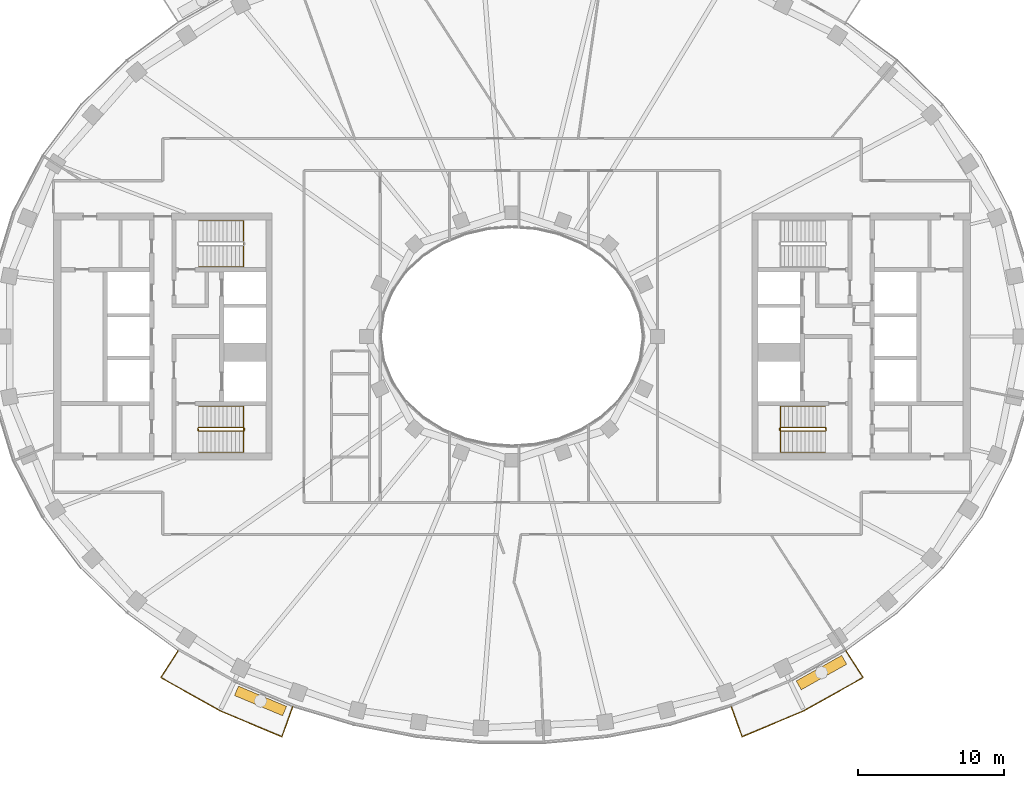
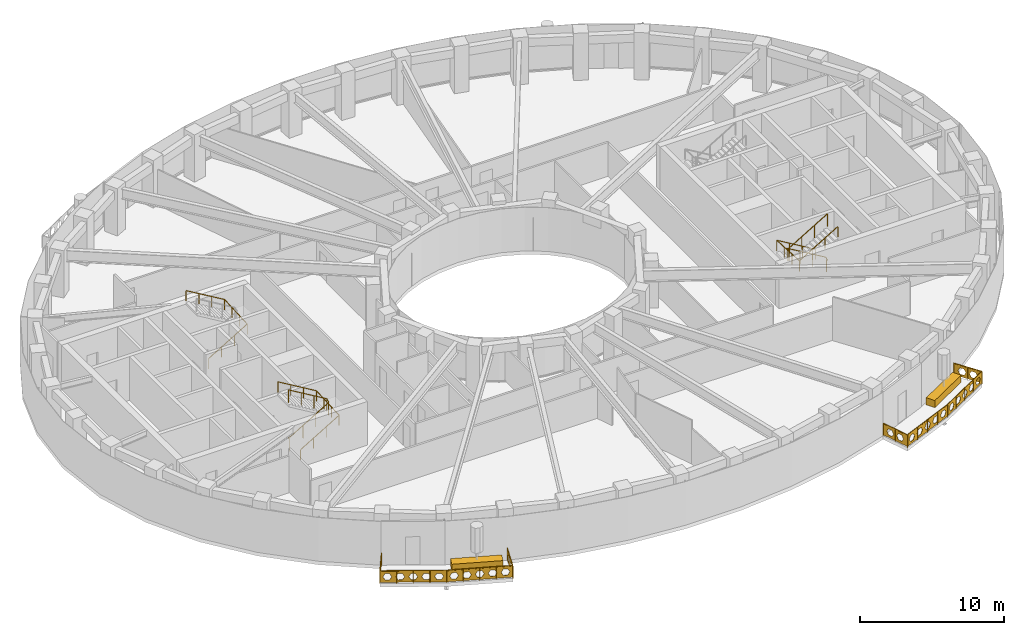
# One storey, part 13 of 15: 7 railings, 2 coverings.
"""IFC4 building model written with IfcOpenShell, lengths in metres."""

from ifc_helpers import new_model, si_unit, direction, frame, origin, origin_2d, place, context, subcontext, project, spatial, polyline, rectangle, outline, extrude, material, type_object, element, save


model = new_model("IFC4")

# Units and contexts
model_context = context("Model", 3, precision=1e-05, world=origin(), true_north=direction((0.0, 1.0)))
body_context = subcontext(model_context, "Body", "Model", "MODEL_VIEW")
ifc_project = project(units=[si_unit("LENGTHUNIT", "METRE"), si_unit("AREAUNIT", "SQUARE_METRE"), si_unit("VOLUMEUNIT", "CUBIC_METRE"), si_unit("PLANEANGLEUNIT", "RADIAN"), si_unit("MASSUNIT", "GRAM", prefix="KILO")], contexts=[model_context])

# Site, building, storey
site_placement = place(None, origin())
site = spatial("IfcSite", under=ifc_project, at=site_placement, CompositionType="ELEMENT")
building_placement = place(site_placement, origin())
building = spatial("IfcBuilding", under=site, at=building_placement, Name="Noorbagh Ring Tower", CompositionType="ELEMENT")
storey_placement = place(building_placement, frame((0.0, 0.0, 277.5)))
storey = spatial("IfcBuildingStorey", under=building, at=storey_placement, Name="L59", CompositionType="ELEMENT", Elevation=277.5)

# Railings
ifc_material_1 = material(Name="Stainless steel", Category="steel")
railing_type_1 = type_object("IfcRailingType", Name="CORE-STAIR-GUARD", PredefinedType="GUARDRAIL", material=ifc_material_1)
railing_1_placement = place(storey_placement, frame((-21.580078125, -6.449951171875, 0.0)))
element("IfcRailing", 1, at=railing_1_placement, inside=storey, type_object=railing_type_1, Name="L59 ST2 stair guard", PredefinedType="GUARDRAIL", context=body_context, shape_type="SweptSolid", body=[
    extrude(rectangle(XDim=0.048095703125, YDim=0.048095703125, at=origin_2d()), frame((0.0, 0.0, 1.076171875), z_axis=(0.0, 1.0, 0.0), x_axis=(-1.0, 0.0, 0.0)), (0.0, 0.0, 1.0), 0.14990234375),
    extrude(rectangle(XDim=0.048095703125, YDim=0.048095703125, at=origin_2d()), frame((0.0, 0.14990234375, 1.076171875), z_axis=(0.188775798145, -0.754182335027, 0.628945707965), x_axis=(0.970072785993, 0.242814311512, 0.0)), (0.0, 0.0, 1.0), 0.26513671875),
    extrude(rectangle(XDim=0.048095703125, YDim=0.048095703125, at=origin_2d()), frame((0.050048828125, -0.050048828125, 1.24267578125), z_axis=(0.859308565015, 0.0, 0.511457515432), x_axis=(0.0, 1.0, 0.0)), (0.0, 0.0, 1.0), 3.58447265625),
    extrude(rectangle(XDim=0.048095703125, YDim=0.048095703125, at=origin_2d()), frame((3.130126953125, -0.050048828125, 3.076171875), z_axis=(0.707106781187, 0.707106781187, 0.0), x_axis=(-0.707106781187, 0.707106781187, 0.0)), (0.0, 0.0, 1.0), 0.07080078125),
    extrude(rectangle(XDim=0.048095703125, YDim=0.048095703125, at=origin_2d()), frame((3.18017578125, 0.0, 3.076171875), z_axis=(0.0, 1.0, 0.0), x_axis=(-1.0, 0.0, 0.0)), (0.0, 0.0, 1.0), 0.14990234375),
    extrude(rectangle(XDim=0.048095703125, YDim=0.048095703125, at=origin_2d()), frame((3.18017578125, 0.14990234375, 3.076171875), z_axis=(-0.27628659633, 0.27628659633, 0.920506074601), x_axis=(-0.707106781187, -0.707106781187, 0.0)), (0.0, 0.0, 1.0), 0.18115234375),
    extrude(rectangle(XDim=0.048095703125, YDim=0.048095703125, at=origin_2d()), frame((3.130126953125, 0.199951171875, 3.24267578125), z_axis=(-0.859308565015, 0.0, 0.511457515432), x_axis=(0.0, -1.0, 0.0)), (0.0, 0.0, 1.0), 3.58447265625),
    extrude(rectangle(XDim=0.0419921875, YDim=0.0419921875, at=origin_2d()), origin(), (0.0, 0.0, 1.0), 1.052001953125),
    extrude(rectangle(XDim=0.0419921875, YDim=0.0419921875, at=origin_2d()), frame((1.07666015625, -0.050048828125, 0.77783203125)), (0.0, 0.0, 1.0), 1.052001953125),
    extrude(rectangle(XDim=0.0419921875, YDim=0.0419921875, at=origin_2d()), frame((2.103515625, -0.050048828125, 1.388916015625)), (0.0, 0.0, 1.0), 1.052001953125),
    extrude(rectangle(XDim=0.0419921875, YDim=0.0419921875, at=origin_2d()), frame((3.130126953125, -0.050048828125, 2.0)), (0.0, 0.0, 1.0), 1.052001953125),
    extrude(rectangle(XDim=0.0419921875, YDim=0.0419921875, at=origin_2d()), frame((3.130126953125, 0.199951171875, 2.166748046875)), (0.0, 0.0, 1.0), 1.052001953125),
    extrude(rectangle(XDim=0.0419921875, YDim=0.0419921875, at=origin_2d()), frame((2.103515625, 0.199951171875, 2.77783203125)), (0.0, 0.0, 1.0), 1.052001953125),
    extrude(rectangle(XDim=0.0419921875, YDim=0.0419921875, at=origin_2d()), frame((1.07666015625, 0.199951171875, 3.388916015625)), (0.0, 0.0, 1.0), 1.052001953125),
    extrude(rectangle(XDim=0.0419921875, YDim=0.0419921875, at=origin_2d()), frame((0.050048828125, 0.199951171875, 4.0)), (0.0, 0.0, 1.0), 1.052001953125),
])
railing_2_placement = place(storey_placement, frame((21.580078125, -6.300048828125, 0.0)))
element("IfcRailing", 2, at=railing_2_placement, inside=storey, type_object=railing_type_1, Name="L59 ST4 stair guard", PredefinedType="GUARDRAIL", context=body_context, shape_type="SweptSolid", body=[
    extrude(rectangle(XDim=0.048095703125, YDim=0.048095703125, at=origin_2d()), frame((0.0, 0.0, 1.076171875), z_axis=(0.0, -1.0, 0.0), x_axis=(1.0, 0.0, 0.0)), (0.0, 0.0, 1.0), 0.14990234375),
    extrude(rectangle(XDim=0.048095703125, YDim=0.048095703125, at=origin_2d()), frame((0.0, -0.14990234375, 1.076171875), z_axis=(-0.188775798145, 0.754182335027, 0.628945707965), x_axis=(-0.970072785993, -0.242814311512, 0.0)), (0.0, 0.0, 1.0), 0.26513671875),
    extrude(rectangle(XDim=0.048095703125, YDim=0.048095703125, at=origin_2d()), frame((-0.050048828125, 0.050048828125, 1.24267578125), z_axis=(-0.859308565015, 0.0, 0.511457515432), x_axis=(0.0, -1.0, 0.0)), (0.0, 0.0, 1.0), 3.58447265625),
    extrude(rectangle(XDim=0.048095703125, YDim=0.048095703125, at=origin_2d()), frame((-3.130126953125, 0.050048828125, 3.076171875), z_axis=(-0.707106781187, -0.707106781187, 0.0), x_axis=(0.707106781187, -0.707106781187, 0.0)), (0.0, 0.0, 1.0), 0.07080078125),
    extrude(rectangle(XDim=0.048095703125, YDim=0.048095703125, at=origin_2d()), frame((-3.18017578125, 0.0, 3.076171875), z_axis=(0.0, -1.0, 0.0), x_axis=(1.0, 0.0, 0.0)), (0.0, 0.0, 1.0), 0.14990234375),
    extrude(rectangle(XDim=0.048095703125, YDim=0.048095703125, at=origin_2d()), frame((-3.18017578125, -0.14990234375, 3.076171875), z_axis=(0.27628659633, -0.27628659633, 0.920506074601), x_axis=(0.707106781187, 0.707106781187, 0.0)), (0.0, 0.0, 1.0), 0.18115234375),
    extrude(rectangle(XDim=0.048095703125, YDim=0.048095703125, at=origin_2d()), frame((-3.130126953125, -0.199951171875, 3.24267578125), z_axis=(0.859308565015, 0.0, 0.511457515432), x_axis=(0.0, 1.0, 0.0)), (0.0, 0.0, 1.0), 3.58447265625),
    extrude(rectangle(XDim=0.0419921875, YDim=0.0419921875, at=origin_2d()), origin(), (0.0, 0.0, 1.0), 1.052001953125),
    extrude(rectangle(XDim=0.0419921875, YDim=0.0419921875, at=origin_2d()), frame((-1.07666015625, 0.050048828125, 0.77783203125)), (0.0, 0.0, 1.0), 1.052001953125),
    extrude(rectangle(XDim=0.0419921875, YDim=0.0419921875, at=origin_2d()), frame((-2.103515625, 0.050048828125, 1.388916015625)), (0.0, 0.0, 1.0), 1.052001953125),
    extrude(rectangle(XDim=0.0419921875, YDim=0.0419921875, at=origin_2d()), frame((-3.130126953125, 0.050048828125, 2.0)), (0.0, 0.0, 1.0), 1.052001953125),
    extrude(rectangle(XDim=0.0419921875, YDim=0.0419921875, at=origin_2d()), frame((-3.130126953125, -0.199951171875, 2.166748046875)), (0.0, 0.0, 1.0), 1.052001953125),
    extrude(rectangle(XDim=0.0419921875, YDim=0.0419921875, at=origin_2d()), frame((-2.103515625, -0.199951171875, 2.77783203125)), (0.0, 0.0, 1.0), 1.052001953125),
    extrude(rectangle(XDim=0.0419921875, YDim=0.0419921875, at=origin_2d()), frame((-1.07666015625, -0.199951171875, 3.388916015625)), (0.0, 0.0, 1.0), 1.052001953125),
    extrude(rectangle(XDim=0.0419921875, YDim=0.0419921875, at=origin_2d()), frame((-0.050048828125, -0.199951171875, 4.0)), (0.0, 0.0, 1.0), 1.052001953125),
])
ifc_material_2 = material(Name="Stainless steel", Category="steel")
railing_type_2 = type_object("IfcRailingType", Name="CORE-STAIR-HANDRAIL", PredefinedType="HANDRAIL", material=ifc_material_2)
railing_3_placement = place(storey_placement, frame((-21.530029296875, 4.800048828125, 0.166748046875)))
element("IfcRailing", 3, at=railing_3_placement, inside=storey, type_object=railing_type_2, Name="L59 ST1 stair handrail", PredefinedType="HANDRAIL", context=body_context, shape_type="SweptSolid", body=[
    extrude(rectangle(XDim=0.048095703125, YDim=0.048095703125, at=origin_2d()), frame((0.0, 0.0, 0.8759765625), z_axis=(0.859308565015, 0.0, 0.511457515432), x_axis=(0.0, 1.0, 0.0)), (0.0, 0.0, 1.0), 3.58447265625),
    extrude(rectangle(XDim=0.048095703125, YDim=0.048095703125, at=origin_2d()), frame((3.080078125, 0.0, 2.708984375), z_axis=(0.0, 0.998601747152, 0.052863509014), x_axis=(-1.0, 0.0, 0.0)), (0.0, 0.0, 1.0), 3.154296875),
    extrude(rectangle(XDim=0.048095703125, YDim=0.048095703125, at=origin_2d()), frame((3.080078125, 3.14990234375, 2.8759765625), z_axis=(-0.859308565015, 0.0, 0.511457515432), x_axis=(0.0, -1.0, 0.0)), (0.0, 0.0, 1.0), 3.58447265625),
    extrude(rectangle(XDim=0.0419921875, YDim=0.0419921875, at=origin_2d()), origin(), (0.0, 0.0, 1.0), 0.851806640625),
    extrude(rectangle(XDim=0.0419921875, YDim=0.0419921875, at=origin_2d()), frame((1.026611328125, 0.0, 0.611083984375)), (0.0, 0.0, 1.0), 0.851806640625),
    extrude(rectangle(XDim=0.0419921875, YDim=0.0419921875, at=origin_2d()), frame((2.053466796875, 0.0, 1.22216796875)), (0.0, 0.0, 1.0), 0.851806640625),
    extrude(rectangle(XDim=0.0419921875, YDim=0.0419921875, at=origin_2d()), frame((3.080078125, 0.0, 1.833251953125)), (0.0, 0.0, 1.0), 0.851806640625),
    extrude(rectangle(XDim=0.0419921875, YDim=0.0419921875, at=origin_2d()), frame((3.080078125, 1.050048828125, 1.888916015625)), (0.0, 0.0, 1.0), 0.851806640625),
    extrude(rectangle(XDim=0.0419921875, YDim=0.0419921875, at=origin_2d()), frame((3.080078125, 2.099853515625, 1.9443359375)), (0.0, 0.0, 1.0), 0.851806640625),
    extrude(rectangle(XDim=0.0419921875, YDim=0.0419921875, at=origin_2d()), frame((3.080078125, 3.14990234375, 2.0)), (0.0, 0.0, 1.0), 0.851806640625),
    extrude(rectangle(XDim=0.0419921875, YDim=0.0419921875, at=origin_2d()), frame((2.053466796875, 3.14990234375, 2.611083984375)), (0.0, 0.0, 1.0), 0.851806640625),
    extrude(rectangle(XDim=0.0419921875, YDim=0.0419921875, at=origin_2d()), frame((1.026611328125, 3.14990234375, 3.22216796875)), (0.0, 0.0, 1.0), 0.851806640625),
    extrude(rectangle(XDim=0.0419921875, YDim=0.0419921875, at=origin_2d()), frame((0.0, 3.14990234375, 3.833251953125)), (0.0, 0.0, 1.0), 0.851806640625),
])
railing_4_placement = place(storey_placement, frame((-21.530029296875, -7.949951171875, 0.166748046875)))
element("IfcRailing", 4, at=railing_4_placement, inside=storey, type_object=railing_type_2, Name="L59 ST2 stair handrail", PredefinedType="HANDRAIL", context=body_context, shape_type="SweptSolid", body=[
    extrude(rectangle(XDim=0.048095703125, YDim=0.048095703125, at=origin_2d()), frame((0.0, 0.0, 0.8759765625), z_axis=(0.859308565015, 0.0, 0.511457515432), x_axis=(0.0, 1.0, 0.0)), (0.0, 0.0, 1.0), 3.58447265625),
    extrude(rectangle(XDim=0.048095703125, YDim=0.048095703125, at=origin_2d()), frame((3.080078125, 0.0, 2.708984375), z_axis=(0.0, 0.998601747152, 0.052863509014), x_axis=(-1.0, 0.0, 0.0)), (0.0, 0.0, 1.0), 3.154296875),
    extrude(rectangle(XDim=0.048095703125, YDim=0.048095703125, at=origin_2d()), frame((3.080078125, 3.14990234375, 2.8759765625), z_axis=(-0.859308565015, 0.0, 0.511457515432), x_axis=(0.0, -1.0, 0.0)), (0.0, 0.0, 1.0), 3.58447265625),
    extrude(rectangle(XDim=0.0419921875, YDim=0.0419921875, at=origin_2d()), origin(), (0.0, 0.0, 1.0), 0.851806640625),
    extrude(rectangle(XDim=0.0419921875, YDim=0.0419921875, at=origin_2d()), frame((1.026611328125, 0.0, 0.611083984375)), (0.0, 0.0, 1.0), 0.851806640625),
    extrude(rectangle(XDim=0.0419921875, YDim=0.0419921875, at=origin_2d()), frame((2.053466796875, 0.0, 1.22216796875)), (0.0, 0.0, 1.0), 0.851806640625),
    extrude(rectangle(XDim=0.0419921875, YDim=0.0419921875, at=origin_2d()), frame((3.080078125, 0.0, 1.833251953125)), (0.0, 0.0, 1.0), 0.851806640625),
    extrude(rectangle(XDim=0.0419921875, YDim=0.0419921875, at=origin_2d()), frame((3.080078125, 1.050048828125, 1.888916015625)), (0.0, 0.0, 1.0), 0.851806640625),
    extrude(rectangle(XDim=0.0419921875, YDim=0.0419921875, at=origin_2d()), frame((3.080078125, 2.099853515625, 1.9443359375)), (0.0, 0.0, 1.0), 0.851806640625),
    extrude(rectangle(XDim=0.0419921875, YDim=0.0419921875, at=origin_2d()), frame((3.080078125, 3.14990234375, 2.0)), (0.0, 0.0, 1.0), 0.851806640625),
    extrude(rectangle(XDim=0.0419921875, YDim=0.0419921875, at=origin_2d()), frame((2.053466796875, 3.14990234375, 2.611083984375)), (0.0, 0.0, 1.0), 0.851806640625),
    extrude(rectangle(XDim=0.0419921875, YDim=0.0419921875, at=origin_2d()), frame((1.026611328125, 3.14990234375, 3.22216796875)), (0.0, 0.0, 1.0), 0.851806640625),
    extrude(rectangle(XDim=0.0419921875, YDim=0.0419921875, at=origin_2d()), frame((0.0, 3.14990234375, 3.833251953125)), (0.0, 0.0, 1.0), 0.851806640625),
])
railing_5_placement = place(storey_placement, frame((21.530029296875, -4.800048828125, 0.166748046875)))
element("IfcRailing", 5, at=railing_5_placement, inside=storey, type_object=railing_type_2, Name="L59 ST4 stair handrail", PredefinedType="HANDRAIL", context=body_context, shape_type="SweptSolid", body=[
    extrude(rectangle(XDim=0.048095703125, YDim=0.048095703125, at=origin_2d()), frame((0.0, 0.0, 0.8759765625), z_axis=(-0.859308565015, 0.0, 0.511457515432), x_axis=(0.0, -1.0, 0.0)), (0.0, 0.0, 1.0), 3.58447265625),
    extrude(rectangle(XDim=0.048095703125, YDim=0.048095703125, at=origin_2d()), frame((-3.080078125, 0.0, 2.708984375), z_axis=(0.0, -0.998601747152, 0.052863509014), x_axis=(1.0, 0.0, 0.0)), (0.0, 0.0, 1.0), 3.154296875),
    extrude(rectangle(XDim=0.048095703125, YDim=0.048095703125, at=origin_2d()), frame((-3.080078125, -3.14990234375, 2.8759765625), z_axis=(0.859308565015, 0.0, 0.511457515432), x_axis=(0.0, 1.0, 0.0)), (0.0, 0.0, 1.0), 3.58447265625),
    extrude(rectangle(XDim=0.0419921875, YDim=0.0419921875, at=origin_2d()), origin(), (0.0, 0.0, 1.0), 0.851806640625),
    extrude(rectangle(XDim=0.0419921875, YDim=0.0419921875, at=origin_2d()), frame((-1.026611328125, 0.0, 0.611083984375)), (0.0, 0.0, 1.0), 0.851806640625),
    extrude(rectangle(XDim=0.0419921875, YDim=0.0419921875, at=origin_2d()), frame((-2.053466796875, 0.0, 1.22216796875)), (0.0, 0.0, 1.0), 0.851806640625),
    extrude(rectangle(XDim=0.0419921875, YDim=0.0419921875, at=origin_2d()), frame((-3.080078125, 0.0, 1.833251953125)), (0.0, 0.0, 1.0), 0.851806640625),
    extrude(rectangle(XDim=0.0419921875, YDim=0.0419921875, at=origin_2d()), frame((-3.080078125, -1.050048828125, 1.888916015625)), (0.0, 0.0, 1.0), 0.851806640625),
    extrude(rectangle(XDim=0.0419921875, YDim=0.0419921875, at=origin_2d()), frame((-3.080078125, -2.099853515625, 1.9443359375)), (0.0, 0.0, 1.0), 0.851806640625),
    extrude(rectangle(XDim=0.0419921875, YDim=0.0419921875, at=origin_2d()), frame((-3.080078125, -3.14990234375, 2.0)), (0.0, 0.0, 1.0), 0.851806640625),
    extrude(rectangle(XDim=0.0419921875, YDim=0.0419921875, at=origin_2d()), frame((-2.053466796875, -3.14990234375, 2.611083984375)), (0.0, 0.0, 1.0), 0.851806640625),
    extrude(rectangle(XDim=0.0419921875, YDim=0.0419921875, at=origin_2d()), frame((-1.026611328125, -3.14990234375, 3.22216796875)), (0.0, 0.0, 1.0), 0.851806640625),
    extrude(rectangle(XDim=0.0419921875, YDim=0.0419921875, at=origin_2d()), frame((0.0, -3.14990234375, 3.833251953125)), (0.0, 0.0, 1.0), 0.851806640625),
])
ifc_material_3 = material(Name="Steel S275 black powder-coated", Category="steel")
railing_type_3 = type_object("IfcRailingType", Name="ENV-GUARD", PredefinedType="GUARDRAIL", material=ifc_material_3)
railing_6_placement = place(storey_placement, frame((-22.9326171875, -21.583740234375, 0.0)))
element("IfcRailing", 6, at=railing_6_placement, inside=storey, type_object=railing_type_3, Name="Balcony guard BS02", PredefinedType="GUARDRAIL", context=body_context, shape_type="SweptSolid", body=[
    extrude(rectangle(XDim=0.048095703125, YDim=0.048095703125, at=origin_2d()), frame((0.0, 0.0, 1.076171875), z_axis=(-0.542268136821, -0.840205491406, 0.0), x_axis=(0.840205491406, -0.542268136821, 0.0)), (0.0, 0.0, 1.0), 2.204345703125),
    extrude(rectangle(XDim=0.048095703125, YDim=0.048095703125, at=origin_2d()), frame((-1.1953125, -1.85205078125, 1.076171875), z_axis=(0.872052247658, -0.489412788303, 0.0), x_axis=(0.489412788303, 0.872052247658, 0.0)), (0.0, 0.0, 1.0), 4.646240234375),
    extrude(rectangle(XDim=0.048095703125, YDim=0.048095703125, at=origin_2d()), frame((2.8564453125, -4.1259765625, 1.076171875), z_axis=(0.921809087722, -0.387644174203, 0.0), x_axis=(0.387644174203, 0.921809087722, 0.0)), (0.0, 0.0, 1.0), 4.627197265625),
    extrude(rectangle(XDim=0.048095703125, YDim=0.048095703125, at=origin_2d()), frame((7.121826171875, -5.919677734375, 1.076171875), z_axis=(0.338350546839, 0.941020141896, 0.0), x_axis=(-0.941020141896, 0.338350546839, 0.0)), (0.0, 0.0, 1.0), 2.202880859375),
    extrude(rectangle(XDim=0.0419921875, YDim=0.0419921875, at=origin_2d()), origin(), (0.0, 0.0, 1.0), 1.052001953125),
    extrude(rectangle(XDim=0.0419921875, YDim=0.0419921875, at=origin_2d()), frame((-0.59765625, -0.926025390625, 0.0)), (0.0, 0.0, 1.0), 1.052001953125),
    extrude(rectangle(XDim=0.0419921875, YDim=0.0419921875, at=origin_2d()), frame((-1.1953125, -1.85205078125, 0.0)), (0.0, 0.0, 1.0), 1.052001953125),
    extrude(rectangle(XDim=0.0419921875, YDim=0.0419921875, at=origin_2d()), frame((-0.182373046875, -2.42041015625, 0.0)), (0.0, 0.0, 1.0), 1.052001953125),
    extrude(rectangle(XDim=0.0419921875, YDim=0.0419921875, at=origin_2d()), frame((0.83056640625, -2.989013671875, 0.0)), (0.0, 0.0, 1.0), 1.052001953125),
    extrude(rectangle(XDim=0.0419921875, YDim=0.0419921875, at=origin_2d()), frame((1.843505859375, -3.5576171875, 0.0)), (0.0, 0.0, 1.0), 1.052001953125),
    extrude(rectangle(XDim=0.0419921875, YDim=0.0419921875, at=origin_2d()), frame((2.8564453125, -4.1259765625, 0.0)), (0.0, 0.0, 1.0), 1.052001953125),
    extrude(rectangle(XDim=0.0419921875, YDim=0.0419921875, at=origin_2d()), frame((3.9228515625, -4.574462890625, 0.0)), (0.0, 0.0, 1.0), 1.052001953125),
    extrude(rectangle(XDim=0.0419921875, YDim=0.0419921875, at=origin_2d()), frame((4.9892578125, -5.02294921875, 0.0)), (0.0, 0.0, 1.0), 1.052001953125),
    extrude(rectangle(XDim=0.0419921875, YDim=0.0419921875, at=origin_2d()), frame((6.055419921875, -5.47119140625, 0.0)), (0.0, 0.0, 1.0), 1.052001953125),
    extrude(rectangle(XDim=0.0419921875, YDim=0.0419921875, at=origin_2d()), frame((7.121826171875, -5.919677734375, 0.0)), (0.0, 0.0, 1.0), 1.052001953125),
    extrude(rectangle(XDim=0.0419921875, YDim=0.0419921875, at=origin_2d()), frame((7.49462890625, -4.88330078125, 0.0)), (0.0, 0.0, 1.0), 1.052001953125),
    extrude(rectangle(XDim=0.0419921875, YDim=0.0419921875, at=origin_2d()), frame((7.8671875, -3.8466796875, 0.0)), (0.0, 0.0, 1.0), 1.052001953125),
    extrude(outline(polyline([(0.0, 0.10009765625), (2.204345703125, 0.10009765625), (2.204345703125, 1.031982421875), (0.0, 1.031982421875), (0.0, 0.10009765625)]), holes=[polyline([(0.962158203125, 0.56591796875), (0.80712890625, 0.83447265625), (0.4970703125, 0.83447265625), (0.342041015625, 0.56591796875), (0.4970703125, 0.297607421875), (0.80712890625, 0.297607421875), (0.962158203125, 0.56591796875)]), polyline([(1.862060546875, 0.56591796875), (1.70703125, 0.83447265625), (1.397216796875, 0.83447265625), (1.2421875, 0.56591796875), (1.397216796875, 0.297607421875), (1.70703125, 0.297607421875), (1.862060546875, 0.56591796875)])]), frame((0.00830078125, -0.00537109375, 0.0), z_axis=(-0.840205491406, 0.542268136821, 0.0), x_axis=(-0.542268136821, -0.840205491406, 0.0)), (0.0, 0.0, 1.0), 0.02001953125),
    extrude(outline(polyline([(0.0, 0.10009765625), (4.646240234375, 0.10009765625), (4.646240234375, 1.031982421875), (0.0, 1.031982421875), (0.0, 0.10009765625)]), holes=[polyline([(0.8330078125, 0.56591796875), (0.67822265625, 0.83447265625), (0.3681640625, 0.83447265625), (0.213134765625, 0.56591796875), (0.3681640625, 0.297607421875), (0.67822265625, 0.297607421875), (0.8330078125, 0.56591796875)]), polyline([(1.733154296875, 0.56591796875), (1.578125, 0.83447265625), (1.26806640625, 0.83447265625), (1.113037109375, 0.56591796875), (1.26806640625, 0.297607421875), (1.578125, 0.297607421875), (1.733154296875, 0.56591796875)]), polyline([(2.633056640625, 0.56591796875), (2.47802734375, 0.83447265625), (2.168212890625, 0.83447265625), (2.01318359375, 0.56591796875), (2.168212890625, 0.297607421875), (2.47802734375, 0.297607421875), (2.633056640625, 0.56591796875)]), polyline([(3.533203125, 0.56591796875), (3.378173828125, 0.83447265625), (3.068115234375, 0.83447265625), (2.9130859375, 0.56591796875), (3.068115234375, 0.297607421875), (3.378173828125, 0.297607421875), (3.533203125, 0.56591796875)]), polyline([(4.43310546875, 0.56591796875), (4.278076171875, 0.83447265625), (3.968017578125, 0.83447265625), (3.813232421875, 0.56591796875), (3.968017578125, 0.297607421875), (4.278076171875, 0.297607421875), (4.43310546875, 0.56591796875)])]), frame((-1.1904296875, -1.84326171875, 0.0), z_axis=(-0.489412788303, -0.872052247658, 0.0), x_axis=(0.872052247658, -0.489412788303, 0.0)), (0.0, 0.0, 1.0), 0.02001953125),
    extrude(outline(polyline([(0.0, 0.10009765625), (4.627197265625, 0.10009765625), (4.627197265625, 1.031982421875), (0.0, 1.031982421875), (0.0, 0.10009765625)]), holes=[polyline([(0.823486328125, 0.56591796875), (0.668701171875, 0.83447265625), (0.358642578125, 0.83447265625), (0.20361328125, 0.56591796875), (0.358642578125, 0.297607421875), (0.668701171875, 0.297607421875), (0.823486328125, 0.56591796875)]), polyline([(1.7236328125, 0.56591796875), (1.568603515625, 0.83447265625), (1.258544921875, 0.83447265625), (1.103515625, 0.56591796875), (1.258544921875, 0.297607421875), (1.568603515625, 0.297607421875), (1.7236328125, 0.56591796875)]), polyline([(2.62353515625, 0.56591796875), (2.468505859375, 0.83447265625), (2.15869140625, 0.83447265625), (2.003662109375, 0.56591796875), (2.15869140625, 0.297607421875), (2.468505859375, 0.297607421875), (2.62353515625, 0.56591796875)]), polyline([(3.523681640625, 0.56591796875), (3.36865234375, 0.83447265625), (3.05859375, 0.83447265625), (2.903564453125, 0.56591796875), (3.05859375, 0.297607421875), (3.36865234375, 0.297607421875), (3.523681640625, 0.56591796875)]), polyline([(4.423583984375, 0.56591796875), (4.2685546875, 0.83447265625), (3.95849609375, 0.83447265625), (3.8037109375, 0.56591796875), (3.95849609375, 0.297607421875), (4.2685546875, 0.297607421875), (4.423583984375, 0.56591796875)])]), frame((2.8603515625, -4.11669921875, 0.0), z_axis=(-0.387644174203, -0.921809087722, 0.0), x_axis=(0.921809087722, -0.387644174203, 0.0)), (0.0, 0.0, 1.0), 0.02001953125),
    extrude(outline(polyline([(0.0, 0.10009765625), (2.202880859375, 0.10009765625), (2.202880859375, 1.031982421875), (0.0, 1.031982421875), (0.0, 0.10009765625)]), holes=[polyline([(0.96142578125, 0.56591796875), (0.806396484375, 0.83447265625), (0.49658203125, 0.83447265625), (0.341552734375, 0.56591796875), (0.49658203125, 0.297607421875), (0.806396484375, 0.297607421875), (0.96142578125, 0.56591796875)]), polyline([(1.861572265625, 0.56591796875), (1.70654296875, 0.83447265625), (1.396484375, 0.83447265625), (1.241455078125, 0.56591796875), (1.396484375, 0.297607421875), (1.70654296875, 0.297607421875), (1.861572265625, 0.56591796875)])]), frame((7.1123046875, -5.916259765625, 0.0), z_axis=(0.941020141896, -0.338350546839, 0.0), x_axis=(0.338350546839, 0.941020141896, 0.0)), (0.0, 0.0, 1.0), 0.02001953125),
])
railing_7_placement = place(storey_placement, frame((15.0654296875, -25.430419921875, 0.0)))
element("IfcRailing", 7, at=railing_7_placement, inside=storey, type_object=railing_type_3, Name="Balcony guard BS05", PredefinedType="GUARDRAIL", context=body_context, shape_type="SweptSolid", body=[
    extrude(rectangle(XDim=0.048095703125, YDim=0.048095703125, at=origin_2d()), frame((0.0, 0.0, 1.076171875), z_axis=(0.338350546839, -0.941020141896, 0.0), x_axis=(0.941020141896, 0.338350546839, 0.0)), (0.0, 0.0, 1.0), 2.202880859375),
    extrude(rectangle(XDim=0.048095703125, YDim=0.048095703125, at=origin_2d()), frame((0.745361328125, -2.072998046875, 1.076171875), z_axis=(0.921809087722, 0.387644174203, 0.0), x_axis=(-0.387644174203, 0.921809087722, 0.0)), (0.0, 0.0, 1.0), 4.627197265625),
    extrude(rectangle(XDim=0.048095703125, YDim=0.048095703125, at=origin_2d()), frame((5.0107421875, -0.279296875, 1.076171875), z_axis=(0.872052247658, 0.489412788303, 0.0), x_axis=(-0.489412788303, 0.872052247658, 0.0)), (0.0, 0.0, 1.0), 4.646240234375),
    extrude(rectangle(XDim=0.048095703125, YDim=0.048095703125, at=origin_2d()), frame((9.0625, 1.99462890625, 1.076171875), z_axis=(-0.542268136821, 0.840205491406, 0.0), x_axis=(-0.840205491406, -0.542268136821, 0.0)), (0.0, 0.0, 1.0), 2.204345703125),
    extrude(rectangle(XDim=0.0419921875, YDim=0.0419921875, at=origin_2d()), origin(), (0.0, 0.0, 1.0), 1.052001953125),
    extrude(rectangle(XDim=0.0419921875, YDim=0.0419921875, at=origin_2d()), frame((0.37255859375, -1.03662109375, 0.0)), (0.0, 0.0, 1.0), 1.052001953125),
    extrude(rectangle(XDim=0.0419921875, YDim=0.0419921875, at=origin_2d()), frame((0.745361328125, -2.072998046875, 0.0)), (0.0, 0.0, 1.0), 1.052001953125),
    extrude(rectangle(XDim=0.0419921875, YDim=0.0419921875, at=origin_2d()), frame((1.811767578125, -1.62451171875, 0.0)), (0.0, 0.0, 1.0), 1.052001953125),
    extrude(rectangle(XDim=0.0419921875, YDim=0.0419921875, at=origin_2d()), frame((2.8779296875, -1.17626953125, 0.0)), (0.0, 0.0, 1.0), 1.052001953125),
    extrude(rectangle(XDim=0.0419921875, YDim=0.0419921875, at=origin_2d()), frame((3.9443359375, -0.727783203125, 0.0)), (0.0, 0.0, 1.0), 1.052001953125),
    extrude(rectangle(XDim=0.0419921875, YDim=0.0419921875, at=origin_2d()), frame((5.0107421875, -0.279296875, 0.0)), (0.0, 0.0, 1.0), 1.052001953125),
    extrude(rectangle(XDim=0.0419921875, YDim=0.0419921875, at=origin_2d()), frame((6.023681640625, 0.2890625, 0.0)), (0.0, 0.0, 1.0), 1.052001953125),
    extrude(rectangle(XDim=0.0419921875, YDim=0.0419921875, at=origin_2d()), frame((7.03662109375, 0.857666015625, 0.0)), (0.0, 0.0, 1.0), 1.052001953125),
    extrude(rectangle(XDim=0.0419921875, YDim=0.0419921875, at=origin_2d()), frame((8.049560546875, 1.42626953125, 0.0)), (0.0, 0.0, 1.0), 1.052001953125),
    extrude(rectangle(XDim=0.0419921875, YDim=0.0419921875, at=origin_2d()), frame((9.0625, 1.99462890625, 0.0)), (0.0, 0.0, 1.0), 1.052001953125),
    extrude(rectangle(XDim=0.0419921875, YDim=0.0419921875, at=origin_2d()), frame((8.46484375, 2.920654296875, 0.0)), (0.0, 0.0, 1.0), 1.052001953125),
    extrude(rectangle(XDim=0.0419921875, YDim=0.0419921875, at=origin_2d()), frame((7.8671875, 3.8466796875, 0.0)), (0.0, 0.0, 1.0), 1.052001953125),
    extrude(outline(polyline([(0.0, 0.10009765625), (2.202880859375, 0.10009765625), (2.202880859375, 1.031982421875), (0.0, 1.031982421875), (0.0, 0.10009765625)]), holes=[polyline([(0.96142578125, 0.56591796875), (0.806396484375, 0.83447265625), (0.49658203125, 0.83447265625), (0.341552734375, 0.56591796875), (0.49658203125, 0.297607421875), (0.806396484375, 0.297607421875), (0.96142578125, 0.56591796875)]), polyline([(1.861572265625, 0.56591796875), (1.70654296875, 0.83447265625), (1.396484375, 0.83447265625), (1.241455078125, 0.56591796875), (1.396484375, 0.297607421875), (1.70654296875, 0.297607421875), (1.861572265625, 0.56591796875)])]), frame((0.009521484375, 0.00341796875, 0.0), z_axis=(-0.941020141896, -0.338350546839, 0.0), x_axis=(0.338350546839, -0.941020141896, 0.0)), (0.0, 0.0, 1.0), 0.02001953125),
    extrude(outline(polyline([(0.0, 0.10009765625), (4.627197265625, 0.10009765625), (4.627197265625, 1.031982421875), (0.0, 1.031982421875), (0.0, 0.10009765625)]), holes=[polyline([(0.823486328125, 0.56591796875), (0.668701171875, 0.83447265625), (0.358642578125, 0.83447265625), (0.20361328125, 0.56591796875), (0.358642578125, 0.297607421875), (0.668701171875, 0.297607421875), (0.823486328125, 0.56591796875)]), polyline([(1.7236328125, 0.56591796875), (1.568603515625, 0.83447265625), (1.258544921875, 0.83447265625), (1.103515625, 0.56591796875), (1.258544921875, 0.297607421875), (1.568603515625, 0.297607421875), (1.7236328125, 0.56591796875)]), polyline([(2.62353515625, 0.56591796875), (2.468505859375, 0.83447265625), (2.15869140625, 0.83447265625), (2.003662109375, 0.56591796875), (2.15869140625, 0.297607421875), (2.468505859375, 0.297607421875), (2.62353515625, 0.56591796875)]), polyline([(3.523681640625, 0.56591796875), (3.36865234375, 0.83447265625), (3.05859375, 0.83447265625), (2.903564453125, 0.56591796875), (3.05859375, 0.297607421875), (3.36865234375, 0.297607421875), (3.523681640625, 0.56591796875)]), polyline([(4.423583984375, 0.56591796875), (4.2685546875, 0.83447265625), (3.95849609375, 0.83447265625), (3.8037109375, 0.56591796875), (3.95849609375, 0.297607421875), (4.2685546875, 0.297607421875), (4.423583984375, 0.56591796875)])]), frame((0.741455078125, -2.063720703125, 0.0), z_axis=(0.387644174203, -0.921809087722, 0.0), x_axis=(0.921809087722, 0.387644174203, 0.0)), (0.0, 0.0, 1.0), 0.02001953125),
    extrude(outline(polyline([(0.0, 0.10009765625), (4.646240234375, 0.10009765625), (4.646240234375, 1.031982421875), (0.0, 1.031982421875), (0.0, 0.10009765625)]), holes=[polyline([(0.8330078125, 0.56591796875), (0.67822265625, 0.83447265625), (0.3681640625, 0.83447265625), (0.213134765625, 0.56591796875), (0.3681640625, 0.297607421875), (0.67822265625, 0.297607421875), (0.8330078125, 0.56591796875)]), polyline([(1.733154296875, 0.56591796875), (1.578125, 0.83447265625), (1.26806640625, 0.83447265625), (1.113037109375, 0.56591796875), (1.26806640625, 0.297607421875), (1.578125, 0.297607421875), (1.733154296875, 0.56591796875)]), polyline([(2.633056640625, 0.56591796875), (2.47802734375, 0.83447265625), (2.168212890625, 0.83447265625), (2.01318359375, 0.56591796875), (2.168212890625, 0.297607421875), (2.47802734375, 0.297607421875), (2.633056640625, 0.56591796875)]), polyline([(3.533203125, 0.56591796875), (3.378173828125, 0.83447265625), (3.068115234375, 0.83447265625), (2.9130859375, 0.56591796875), (3.068115234375, 0.297607421875), (3.378173828125, 0.297607421875), (3.533203125, 0.56591796875)]), polyline([(4.43310546875, 0.56591796875), (4.278076171875, 0.83447265625), (3.968017578125, 0.83447265625), (3.813232421875, 0.56591796875), (3.968017578125, 0.297607421875), (4.278076171875, 0.297607421875), (4.43310546875, 0.56591796875)])]), frame((5.005859375, -0.2705078125, 0.0), z_axis=(0.489412788303, -0.872052247658, 0.0), x_axis=(0.872052247658, 0.489412788303, 0.0)), (0.0, 0.0, 1.0), 0.02001953125),
    extrude(outline(polyline([(0.0, 0.10009765625), (2.204345703125, 0.10009765625), (2.204345703125, 1.031982421875), (0.0, 1.031982421875), (0.0, 0.10009765625)]), holes=[polyline([(0.962158203125, 0.56591796875), (0.80712890625, 0.83447265625), (0.4970703125, 0.83447265625), (0.342041015625, 0.56591796875), (0.4970703125, 0.297607421875), (0.80712890625, 0.297607421875), (0.962158203125, 0.56591796875)]), polyline([(1.862060546875, 0.56591796875), (1.70703125, 0.83447265625), (1.397216796875, 0.83447265625), (1.2421875, 0.56591796875), (1.397216796875, 0.297607421875), (1.70703125, 0.297607421875), (1.862060546875, 0.56591796875)])]), frame((9.05419921875, 1.9892578125, 0.0), z_axis=(0.840205491406, 0.542268136821, 0.0), x_axis=(-0.542268136821, 0.840205491406, 0.0)), (0.0, 0.0, 1.0), 0.02001953125),
])

# Coverings
ifc_material_4 = material(Name="Concrete C30/37 planter with soil", Category="concrete")
covering_type = type_object("IfcCoveringType", Name="ENV-PLANTER", PredefinedType="CLADDING", material=ifc_material_4)
covering_1_placement = place(storey_placement, frame((-17.280517578125, -25.041259765625, 0.0), z_axis=(0.0, 0.0, 1.0), x_axis=(0.921811566494, -0.387638279686, 0.0)))
element("IfcCovering", 8, at=covering_1_placement, inside=storey, type_object=covering_type, Name="PLANTER BS02", ObjectType="PLANTER", PredefinedType="CLADDING", context=body_context, shape_type="SweptSolid", body=[
    extrude(rectangle(XDim=3.5859375, YDim=0.699951171875, at=origin_2d()), origin(), (0.0, 0.0, 1.0), 0.60009765625),
])
covering_2_placement = place(storey_placement, frame((21.26513671875, -23.093017578125, 0.0), z_axis=(0.0, 0.0, 1.0), x_axis=(0.872044586249, 0.48942643941, 0.0)))
element("IfcCovering", 9, at=covering_2_placement, inside=storey, type_object=covering_type, Name="PLANTER BS05", ObjectType="PLANTER", PredefinedType="CLADDING", context=body_context, shape_type="SweptSolid", body=[
    extrude(rectangle(XDim=3.58544921875, YDim=0.699951171875, at=origin_2d()), origin(), (0.0, 0.0, 1.0), 0.60009765625),
])

save(model, "model.ifc")
